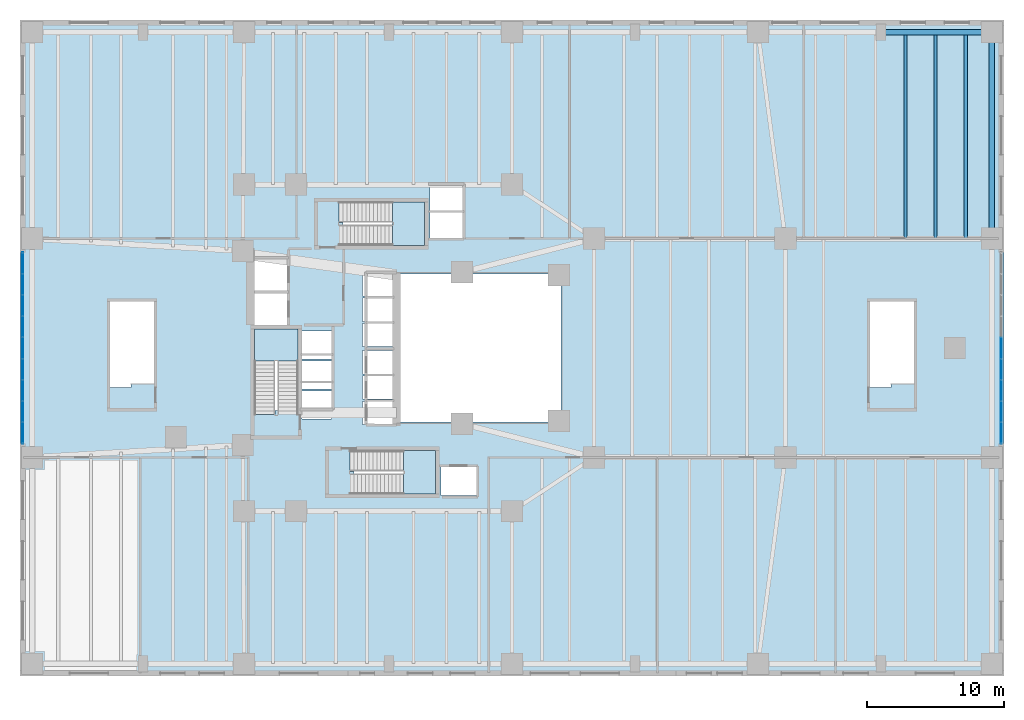
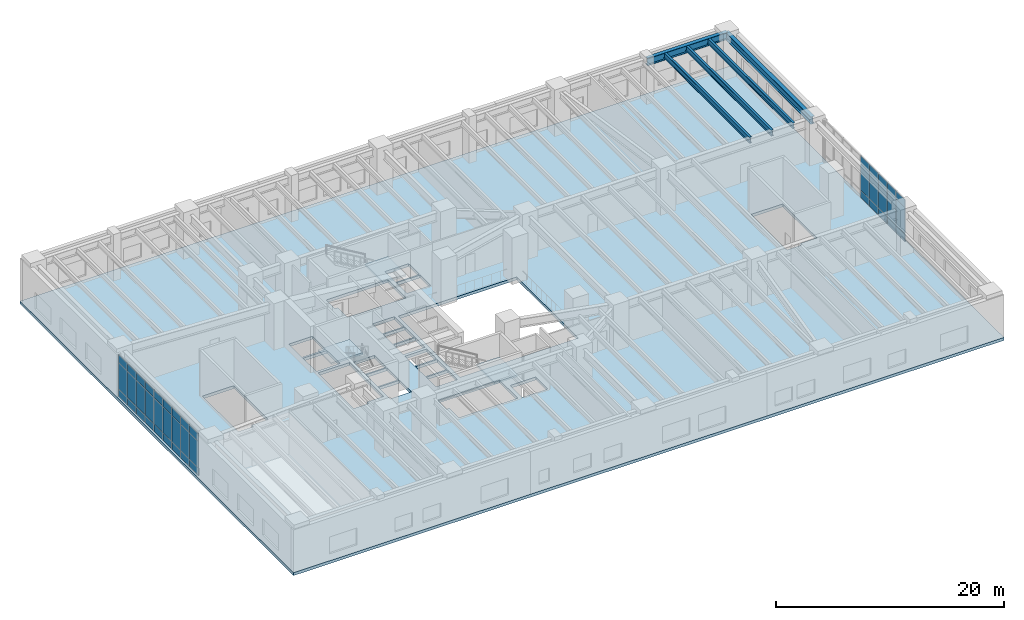
# One storey, part 11 of 18: 42 plates, 5 beams, 4 slabs, 5 elements without a shape of their own.
"""IFC4 building model written with IfcOpenShell, lengths in metres."""

import ifcopenshell
import ifcopenshell.guid

model = None  # the IFC model being written
_history = None  # IfcOwnerHistory: only IFC2X3 demands one
_inside = {}  # id of a spatial element -> (the spatial element, [elements in it])
_under = {}  # id of a project, library or spatial element -> (it, [spatial elements below it])
_declared = {}  # id of a project -> (the project, [libraries it declares])
_typed = {}  # id of a type object -> (the type object, [elements of that type])
_made_of = {}  # id of a material, layer set ... -> (it, [elements and type objects made of it])


def new_model(schema):
    """Start an empty IFC model of exactly this schema.

    Asked for "IFC4X3", IfcOpenShell would pick the latest addendum, in which some entities
    have other attributes; the version numbers below select the first issue.
    IFC2X3 requires an IfcOwnerHistory on every rooted entity: one is made here for all.
    """
    global model, _history
    if schema == "IFC4X3":
        model = ifcopenshell.file(schema_version=(4, 3, 0, 0))
    else:
        model = ifcopenshell.file(schema=schema)
    _inside.clear()
    _under.clear()
    _declared.clear()
    _typed.clear()
    _made_of.clear()
    _history = None
    if model.schema == "IFC2X3":
        org = make("IfcOrganization", Name="unknown")
        user = make(
            "IfcPersonAndOrganization",
            ThePerson=make("IfcPerson", FamilyName="unknown"),
            TheOrganization=org,
        )
        app = make(
            "IfcApplication",
            ApplicationDeveloper=org,
            Version="unknown",
            ApplicationFullName="unknown",
            ApplicationIdentifier="unknown",
        )
        _history = make(
            "IfcOwnerHistory",
            OwningUser=user,
            OwningApplication=app,
            ChangeAction="ADDED",
            CreationDate=0,
        )
    return model


def make(cls, **values):
    """One entity of the class cls with the attributes given. An attribute that is None is left unset."""
    return model.create_entity(
        cls, **{name: value for name, value in values.items() if value is not None}
    )


def rooted(cls, **values):
    """An entity with a GlobalId (a new one), such as an element, a storey or a relation."""
    return make(cls, GlobalId=ifcopenshell.guid.new(), OwnerHistory=_history, **values)


def si_unit(unit_type, name, prefix=None):
    """IfcSIUnit, for example si_unit("LENGTHUNIT", "METRE", prefix="MILLI")."""
    return make("IfcSIUnit", UnitType=unit_type, Prefix=prefix, Name=name)


def assignment(units):
    """IfcUnitAssignment: the units of a project."""
    return None if units is None else make("IfcUnitAssignment", Units=units)


def point(xyz):
    """IfcCartesianPoint."""
    return None if xyz is None else make("IfcCartesianPoint", Coordinates=xyz)


def direction(xyz):
    """IfcDirection."""
    return None if xyz is None else make("IfcDirection", DirectionRatios=xyz)


def frame(location, z_axis=None, x_axis=None):
    """IfcAxis2Placement3D, a coordinate frame: its origin and axes. An axis left out is left unset."""
    return make(
        "IfcAxis2Placement3D",
        Location=point(location),
        Axis=direction(z_axis),
        RefDirection=direction(x_axis),
    )


def frame_2d(location, x_axis=None):
    """IfcAxis2Placement2D, a coordinate frame in the plane: its origin and x axis."""
    return make(
        "IfcAxis2Placement2D", Location=point(location), RefDirection=direction(x_axis)
    )


def origin():
    """The frame at (0, 0, 0) with its axes left unset."""
    return frame((0.0, 0.0, 0.0))


def origin_2d():
    """The frame at (0, 0) in the plane with its x axis left unset."""
    return frame_2d((0.0, 0.0))


def place(relative_to, where):
    """IfcLocalPlacement: puts the frame where relative to a parent placement (None: the world)."""
    return make(
        "IfcLocalPlacement", PlacementRelTo=relative_to, RelativePlacement=where
    )


def context(
    kind, dimensions, precision=None, world=None, true_north=None, identifier=None
):
    """IfcGeometricRepresentationContext, for example the 3D "Model" context."""
    return make(
        "IfcGeometricRepresentationContext",
        ContextIdentifier=identifier,
        ContextType=kind,
        CoordinateSpaceDimension=dimensions,
        Precision=precision,
        WorldCoordinateSystem=world,
        TrueNorth=true_north,
    )


def subcontext(parent, identifier, kind, view, scale=None):
    """IfcGeometricRepresentationSubContext, for example "Body" below "Model"."""
    return make(
        "IfcGeometricRepresentationSubContext",
        ContextIdentifier=identifier,
        ContextType=kind,
        ParentContext=parent,
        TargetScale=scale,
        TargetView=view,
    )


def project(units=None, contexts=None):
    """IfcProject with its units and contexts."""
    return rooted(
        "IfcProject",
        Name="project",
        RepresentationContexts=contexts,
        UnitsInContext=assignment(units),
    )


def spatial(cls, under=None, at=None, **own):
    """A site, building, storey or space (cls), placed at a placement, below another one or the project."""
    s = rooted(cls, ObjectPlacement=at, **own)
    if under is not None:
        _under.setdefault(under.id(), (under, []))[1].append(s)
    return s


def polyline(points):
    """IfcPolyline through the points."""
    return make("IfcPolyline", Points=[point(p) for p in points])


def profile(cls, at=None, kind="AREA", **sizes):
    """A parametric profile (cls). Its sizes go by their IFC names, for example OverallWidth=200.0."""
    return make(cls, ProfileType=kind, Position=at, **sizes)


def rectangle(**sizes):
    """IfcRectangleProfileDef."""
    return profile("IfcRectangleProfileDef", **sizes)


def i_section(**sizes):
    """IfcIShapeProfileDef."""
    return profile("IfcIShapeProfileDef", **sizes)


def outline(outer, holes=None, kind="AREA"):
    """IfcArbitraryClosedProfileDef: a profile drawn as a closed curve; with holes, ...WithVoids."""
    if holes is None:
        return make("IfcArbitraryClosedProfileDef", ProfileType=kind, OuterCurve=outer)
    return make(
        "IfcArbitraryProfileDefWithVoids",
        ProfileType=kind,
        OuterCurve=outer,
        InnerCurves=holes,
    )


def extrude(swept, where, along, depth):
    """IfcExtrudedAreaSolid: the profile swept, set in the frame where, extruded along a direction by depth."""
    return make(
        "IfcExtrudedAreaSolid",
        SweptArea=swept,
        Position=where,
        ExtrudedDirection=direction(along),
        Depth=depth,
    )


def shape(context_of_items, identifier, shape_type, items):
    """IfcShapeRepresentation: the items that make up one representation, for example the "Body"."""
    return make(
        "IfcShapeRepresentation",
        ContextOfItems=context_of_items,
        RepresentationIdentifier=identifier,
        RepresentationType=shape_type,
        Items=items,
    )


def material(Name=None, Category=None):
    """IfcMaterial."""
    return make("IfcMaterial", Name=Name, Category=Category)


def layer(
    of_material, thickness, ventilated=None, Name=None, Category=None, Priority=None
):
    """IfcMaterialLayer: one layer of a wall or slab, of a material (None: an air gap)."""
    return make(
        "IfcMaterialLayer",
        Material=of_material,
        LayerThickness=thickness,
        IsVentilated=ventilated,
        Name=Name,
        Category=Category,
        Priority=Priority,
    )


def layer_set(layers, Name=None):
    """IfcMaterialLayerSet."""
    return make("IfcMaterialLayerSet", MaterialLayers=layers, LayerSetName=Name)


def material_profile(
    of_material, cross_section, Name=None, Category=None, Priority=None
):
    """IfcMaterialProfile: a cross section and its material."""
    return make(
        "IfcMaterialProfile",
        Name=Name,
        Material=of_material,
        Profile=cross_section,
        Priority=Priority,
        Category=Category,
    )


def profile_set(profiles, Name=None, composite=None):
    """IfcMaterialProfileSet."""
    return make(
        "IfcMaterialProfileSet",
        Name=Name,
        MaterialProfiles=profiles,
        CompositeProfile=composite,
    )


def made_of(thing, what):
    """Note that an element or type object is made of a material, layer set ...; save() writes the relation."""
    if what is not None:
        _made_of.setdefault(what.id(), (what, []))[1].append(thing)
    return thing


def type_object(cls, material=None, **own):
    """A type object (cls), such as IfcWallType, which elements share."""
    return made_of(rooted(cls, **own), material)


def element(
    cls,
    number,
    at=None,
    inside=None,
    cuts=None,
    type_object=None,
    material=None,
    context=None,
    identifier="Body",
    shape_type=None,
    held_by="IfcProductDefinitionShape",
    body=None,
    shapes=None,
    **own,
):
    """One element of the class cls, such as IfcWall. Its Tag is "e" and its number.

    at: its placement. inside: the storey or other place that contains it. cuts: it is an
    opening in that element (IfcRelVoidsElement). A single representation is given by context,
    identifier, shape_type and body (its items); several are given by shapes. held_by: the class
    of the entity that holds the representations. save() writes the other relations.
    """
    e = rooted(cls, Tag="e%d" % number, ObjectPlacement=at, **own)
    if body is not None:
        shapes = [shape(context, identifier, shape_type, body)]
    if shapes is not None:
        e.Representation = make(held_by, Representations=shapes)
    if inside is not None:
        _inside.setdefault(inside.id(), (inside, []))[1].append(e)
    if cuts is not None:
        rooted(
            "IfcRelVoidsElement", RelatingBuildingElement=cuts, RelatedOpeningElement=e
        )
    if type_object is not None:
        _typed.setdefault(type_object.id(), (type_object, []))[1].append(e)
    return made_of(e, material)


def aggregate(whole, parts):
    """IfcRelAggregates: a whole, such as a stair, and the parts it consists of."""
    return rooted("IfcRelAggregates", RelatingObject=whole, RelatedObjects=parts)


def save(model, path):
    """Write the relations noted so far, then the file.

    IfcRelAggregates (storeys below a building ...), IfcRelContainedInSpatialStructure (elements
    in a storey), IfcRelDefinesByType, IfcRelAssociatesMaterial and IfcRelDeclares: one each for
    every whole, place, type object, material and project.
    """
    for whole, parts in _under.values():
        aggregate(whole, parts)
    for where, things in _inside.values():
        rooted(
            "IfcRelContainedInSpatialStructure",
            RelatedElements=things,
            RelatingStructure=where,
        )
    for kind, things in _typed.values():
        rooted("IfcRelDefinesByType", RelatedObjects=things, RelatingType=kind)
    for what, things in _made_of.values():
        rooted("IfcRelAssociatesMaterial", RelatedObjects=things, RelatingMaterial=what)
    for by, libraries in _declared.values():
        rooted("IfcRelDeclares", RelatingContext=by, RelatedDefinitions=libraries)
    model.write(path)


model = new_model("IFC4")

# Units and contexts
model_context = context("Model", 3, precision=1e-05, world=origin(), true_north=direction((0.0, 1.0)))
body_context = subcontext(model_context, "Body", "Model", "MODEL_VIEW")
ifc_project = project(units=[si_unit("LENGTHUNIT", "METRE"), si_unit("AREAUNIT", "SQUARE_METRE"), si_unit("VOLUMEUNIT", "CUBIC_METRE"), si_unit("PLANEANGLEUNIT", "RADIAN"), si_unit("MASSUNIT", "GRAM", prefix="KILO"), si_unit("THERMODYNAMICTEMPERATUREUNIT", "KELVIN"), si_unit("POWERUNIT", "WATT")], contexts=[model_context])

# Site, building, storey
site_placement = place(None, origin())
site = spatial("IfcSite", under=ifc_project, at=site_placement, CompositionType="ELEMENT")
building_placement = place(site_placement, origin())
building = spatial("IfcBuilding", under=site, at=building_placement, Name="Skarre Station Tower", CompositionType="ELEMENT")
storey_placement = place(building_placement, frame((0.0, 0.0, 16.0)))
storey = spatial("IfcBuildingStorey", under=building, at=storey_placement, Name="L04", CompositionType="ELEMENT", Elevation=16.0)

# Beams
ifc_material_1 = material(Name="Steel ASTM A992 Grade 50", Category="steel")
ifc_material_profile_1 = material_profile(ifc_material_1, i_section(OverallWidth=0.22802734375, OverallDepth=0.60791015625, WebThickness=0.010986328125, FlangeThickness=0.01708984375, at=origin_2d()), Name="Steel ASTM A992 Grade 50")
ifc_profile_set_1 = profile_set([ifc_material_profile_1], Name="Steel ASTM A992 Grade 50")
beam_type_1 = type_object("IfcBeamType", Name="Steel Joist W24X76", PredefinedType="JOIST", material=ifc_profile_set_1)
for number, where, z_axis, x_axis, name in (
    (1, (64.800048828125, 32.0, 4.27587890625), (0.0, 1.0, 0.0), (-1.0, 0.0, 0.0), "L04 North Bay Joist 24"),
    (2, (67.0, 32.0, 4.27587890625), (0.0, 1.0, 0.0), (-1.0, 0.0, 0.0), "L04 North Bay Joist 25"),
    (3, (69.199951171875, 32.0, 4.27587890625), (0.0, 1.0, 0.0), (-1.0, 0.0, 0.0), "L04 North Bay Joist 26"),
):
    element("IfcBeam", number, at=place(storey_placement, frame(where, z_axis=z_axis, x_axis=x_axis)), inside=storey, type_object=beam_type_1, Name=name, PredefinedType="JOIST", context=body_context, shape_type="SweptSolid", body=[
        extrude(i_section(OverallWidth=0.22802734375, OverallDepth=0.60791015625, WebThickness=0.010986328125, FlangeThickness=0.01708984375, at=origin_2d()), origin(), (0.0, 0.0, 1.0), 15.10009765625),
    ])
ifc_material_profile_2 = material_profile(ifc_material_1, i_section(OverallWidth=0.384033203125, OverallDepth=0.785888671875, WebThickness=0.02001953125, FlangeThickness=0.032958984375, at=origin_2d()), Name="Steel ASTM A992 Grade 50")
ifc_profile_set_2 = profile_set([ifc_material_profile_2], Name="Steel ASTM A992 Grade 50")
beam_type_2 = type_object("IfcBeamType", Name="Steel Spandrel W30X211", PredefinedType="SPANDREL", material=ifc_profile_set_2)
beam_1_placement = place(storey_placement, frame((63.0, 47.10009765625, 4.18701171875), z_axis=(1.0, 0.0, 0.0), x_axis=(0.0, 1.0, 0.0)))
element("IfcBeam", 4, at=beam_1_placement, inside=storey, type_object=beam_type_2, Name="L04 North Podium Spandrel 8", PredefinedType="SPANDREL", context=body_context, shape_type="SweptSolid", body=[
    extrude(i_section(OverallWidth=0.384033203125, OverallDepth=0.785888671875, WebThickness=0.02001953125, FlangeThickness=0.032958984375, at=origin_2d()), origin(), (0.0, 0.0, 1.0), 8.10009765625),
])
beam_2_placement = place(storey_placement, frame((71.10009765625, 32.0, 4.18701171875), z_axis=(0.0, 1.0, 0.0), x_axis=(-1.0, 0.0, 0.0)))
element("IfcBeam", 5, at=beam_2_placement, inside=storey, type_object=beam_type_2, Name="L04 East Podium Spandrel 3", PredefinedType="SPANDREL", context=body_context, shape_type="SweptSolid", body=[
    extrude(i_section(OverallWidth=0.384033203125, OverallDepth=0.785888671875, WebThickness=0.02001953125, FlangeThickness=0.032958984375, at=origin_2d()), origin(), (0.0, 0.0, 1.0), 15.10009765625),
])

# Curtain wall, plates
ifc_material_2 = material(Name="Thermally Broken Bronze-Anodized Aluminium & Triple Low-E Glass", Category="aluminium")
ifc_layer_1 = layer(ifc_material_2, 0.199951171875, Name="Thermally Broken Bronze-Anodized Aluminium & Triple Low-E Glass")
ifc_layer_set_1 = layer_set([ifc_layer_1], Name="Thermally Broken Bronze-Anodized Aluminium & Triple Low-E Glass")
curtain_wall_type = type_object("IfcCurtainWallType", Name="Podium Transit Arcade Stick Curtain Wall", PredefinedType="NOTDEFINED", material=ifc_layer_set_1)
curtain_wall_1_placement = place(storey_placement, origin())
curtain_wall_1 = element("IfcCurtainWall", 6, at=curtain_wall_1_placement, inside=storey, type_object=curtain_wall_type, Name="L04 West Atrium Clerestory Curtain Wall", PredefinedType="NOTDEFINED")
ifc_material_3 = material(Name="Insulated Bronze Anodized Aluminium Spandrel", Category="aluminium")
ifc_layer_2 = layer(ifc_material_3, 0.052001953125, Name="Insulated Bronze Anodized Aluminium Spandrel")
ifc_layer_set_2 = layer_set([ifc_layer_2], Name="Insulated Bronze Anodized Aluminium Spandrel")
plate_type_1 = type_object("IfcPlateType", Name="Bronze Insulated Spandrel Sheet Panel 52", PredefinedType="SHEET", material=ifc_layer_set_2)
plate_1_placement = place(storey_placement, frame((0.199951171875, 17.778076171875, 0.05224609375), z_axis=(0.0, 0.0, 1.0), x_axis=(0.0, 1.0, 0.0)))
plate_1 = element("IfcPlate", 7, at=plate_1_placement, type_object=plate_type_1, Name="L04 West Atrium Clerestory Curtain Wall Spandrel Panel 1-1", PredefinedType="SHEET", context=body_context, shape_type="SweptSolid", body=[
    extrude(rectangle(XDim=1.531982421875, YDim=0.052001953125, at=origin_2d()), origin(), (0.0, 0.0, 1.0), 0.785888671875),
])
plate_2_placement = place(storey_placement, frame((0.199951171875, 19.3330078125, 0.05224609375), z_axis=(0.0, 0.0, 1.0), x_axis=(0.0, 1.0, 0.0)))
plate_2 = element("IfcPlate", 8, at=plate_2_placement, type_object=plate_type_1, Name="L04 West Atrium Clerestory Curtain Wall Spandrel Panel 2-1", PredefinedType="SHEET", context=body_context, shape_type="SweptSolid", body=[
    extrude(rectangle(XDim=1.531982421875, YDim=0.052001953125, at=origin_2d()), origin(), (0.0, 0.0, 1.0), 0.785888671875),
])
plate_3_placement = place(storey_placement, frame((0.199951171875, 20.888916015625, 0.05224609375), z_axis=(0.0, 0.0, 1.0), x_axis=(0.0, 1.0, 0.0)))
plate_3 = element("IfcPlate", 9, at=plate_3_placement, type_object=plate_type_1, Name="L04 West Atrium Clerestory Curtain Wall Spandrel Panel 3-1", PredefinedType="SHEET", context=body_context, shape_type="SweptSolid", body=[
    extrude(rectangle(XDim=1.531982421875, YDim=0.052001953125, at=origin_2d()), origin(), (0.0, 0.0, 1.0), 0.785888671875),
])
plate_4_placement = place(storey_placement, frame((0.199951171875, 22.444091796875, 0.05224609375), z_axis=(0.0, 0.0, 1.0), x_axis=(0.0, 1.0, 0.0)))
plate_4 = element("IfcPlate", 10, at=plate_4_placement, type_object=plate_type_1, Name="L04 West Atrium Clerestory Curtain Wall Spandrel Panel 4-1", PredefinedType="SHEET", context=body_context, shape_type="SweptSolid", body=[
    extrude(rectangle(XDim=1.531982421875, YDim=0.052001953125, at=origin_2d()), origin(), (0.0, 0.0, 1.0), 0.785888671875),
])
plate_5_placement = place(storey_placement, frame((0.199951171875, 24.0, 0.05224609375), z_axis=(0.0, 0.0, 1.0), x_axis=(0.0, 1.0, 0.0)))
plate_5 = element("IfcPlate", 11, at=plate_5_placement, type_object=plate_type_1, Name="L04 West Atrium Clerestory Curtain Wall Spandrel Panel 5-1", PredefinedType="SHEET", context=body_context, shape_type="SweptSolid", body=[
    extrude(rectangle(XDim=1.531982421875, YDim=0.052001953125, at=origin_2d()), origin(), (0.0, 0.0, 1.0), 0.785888671875),
])
plate_6_placement = place(storey_placement, frame((0.199951171875, 25.555908203125, 0.05224609375), z_axis=(0.0, 0.0, 1.0), x_axis=(0.0, 1.0, 0.0)))
plate_6 = element("IfcPlate", 12, at=plate_6_placement, type_object=plate_type_1, Name="L04 West Atrium Clerestory Curtain Wall Spandrel Panel 6-1", PredefinedType="SHEET", context=body_context, shape_type="SweptSolid", body=[
    extrude(rectangle(XDim=1.531982421875, YDim=0.052001953125, at=origin_2d()), origin(), (0.0, 0.0, 1.0), 0.785888671875),
])
plate_7_placement = place(storey_placement, frame((0.199951171875, 27.111083984375, 0.05224609375), z_axis=(0.0, 0.0, 1.0), x_axis=(0.0, 1.0, 0.0)))
plate_7 = element("IfcPlate", 13, at=plate_7_placement, type_object=plate_type_1, Name="L04 West Atrium Clerestory Curtain Wall Spandrel Panel 7-1", PredefinedType="SHEET", context=body_context, shape_type="SweptSolid", body=[
    extrude(rectangle(XDim=1.531982421875, YDim=0.052001953125, at=origin_2d()), origin(), (0.0, 0.0, 1.0), 0.785888671875),
])
plate_8_placement = place(storey_placement, frame((0.199951171875, 28.6669921875, 0.05224609375), z_axis=(0.0, 0.0, 1.0), x_axis=(0.0, 1.0, 0.0)))
plate_8 = element("IfcPlate", 14, at=plate_8_placement, type_object=plate_type_1, Name="L04 West Atrium Clerestory Curtain Wall Spandrel Panel 8-1", PredefinedType="SHEET", context=body_context, shape_type="SweptSolid", body=[
    extrude(rectangle(XDim=1.531982421875, YDim=0.052001953125, at=origin_2d()), origin(), (0.0, 0.0, 1.0), 0.785888671875),
])
plate_9_placement = place(storey_placement, frame((0.199951171875, 30.221923828125, 0.05224609375), z_axis=(0.0, 0.0, 1.0), x_axis=(0.0, 1.0, 0.0)))
plate_9 = element("IfcPlate", 15, at=plate_9_placement, type_object=plate_type_1, Name="L04 West Atrium Clerestory Curtain Wall Spandrel Panel 9-1", PredefinedType="SHEET", context=body_context, shape_type="SweptSolid", body=[
    extrude(rectangle(XDim=1.531982421875, YDim=0.052001953125, at=origin_2d()), origin(), (0.0, 0.0, 1.0), 0.785888671875),
])

curtain_wall_2_placement = place(storey_placement, origin())
curtain_wall_2 = element("IfcCurtainWall", 16, at=curtain_wall_2_placement, inside=storey, type_object=curtain_wall_type, Name="L04 East Forum Clerestory Curtain Wall", PredefinedType="NOTDEFINED")
plate_10_placement = place(storey_placement, frame((71.800048828125, 24.0, 0.05224609375), z_axis=(0.0, 0.0, 1.0), x_axis=(0.0, -1.0, 0.0)))
plate_10 = element("IfcPlate", 17, at=plate_10_placement, type_object=plate_type_1, Name="L04 East Forum Clerestory Curtain Wall Spandrel Panel 5-1", PredefinedType="SHEET", context=body_context, shape_type="SweptSolid", body=[
    extrude(rectangle(XDim=1.531982421875, YDim=0.052001953125, at=origin_2d()), origin(), (0.0, 0.0, 1.0), 0.785888671875),
])
plate_11_placement = place(storey_placement, frame((71.800048828125, 22.444091796875, 0.05224609375), z_axis=(0.0, 0.0, 1.0), x_axis=(0.0, -1.0, 0.0)))
plate_11 = element("IfcPlate", 18, at=plate_11_placement, type_object=plate_type_1, Name="L04 East Forum Clerestory Curtain Wall Spandrel Panel 6-1", PredefinedType="SHEET", context=body_context, shape_type="SweptSolid", body=[
    extrude(rectangle(XDim=1.531982421875, YDim=0.052001953125, at=origin_2d()), origin(), (0.0, 0.0, 1.0), 0.785888671875),
])
plate_12_placement = place(storey_placement, frame((71.800048828125, 20.888916015625, 0.05224609375), z_axis=(0.0, 0.0, 1.0), x_axis=(0.0, -1.0, 0.0)))
plate_12 = element("IfcPlate", 19, at=plate_12_placement, type_object=plate_type_1, Name="L04 East Forum Clerestory Curtain Wall Spandrel Panel 7-1", PredefinedType="SHEET", context=body_context, shape_type="SweptSolid", body=[
    extrude(rectangle(XDim=1.531982421875, YDim=0.052001953125, at=origin_2d()), origin(), (0.0, 0.0, 1.0), 0.785888671875),
])
plate_13_placement = place(storey_placement, frame((71.800048828125, 19.3330078125, 0.05224609375), z_axis=(0.0, 0.0, 1.0), x_axis=(0.0, -1.0, 0.0)))
plate_13 = element("IfcPlate", 20, at=plate_13_placement, type_object=plate_type_1, Name="L04 East Forum Clerestory Curtain Wall Spandrel Panel 8-1", PredefinedType="SHEET", context=body_context, shape_type="SweptSolid", body=[
    extrude(rectangle(XDim=1.531982421875, YDim=0.052001953125, at=origin_2d()), origin(), (0.0, 0.0, 1.0), 0.785888671875),
])
plate_14_placement = place(storey_placement, frame((71.800048828125, 17.778076171875, 0.05224609375), z_axis=(0.0, 0.0, 1.0), x_axis=(0.0, -1.0, 0.0)))
plate_14 = element("IfcPlate", 21, at=plate_14_placement, type_object=plate_type_1, Name="L04 East Forum Clerestory Curtain Wall Spandrel Panel 9-1", PredefinedType="SHEET", context=body_context, shape_type="SweptSolid", body=[
    extrude(rectangle(XDim=1.531982421875, YDim=0.052001953125, at=origin_2d()), origin(), (0.0, 0.0, 1.0), 0.785888671875),
])

# Slab
ifc_material_4 = material(Name="Concrete C50/60", Category="concrete")
ifc_layer_3 = layer(ifc_material_4, 0.31005859375, Name="Concrete C50/60")
ifc_layer_set_3 = layer_set([ifc_layer_3], Name="Concrete C50/60")
slab_type_1 = type_object("IfcSlabType", Name="Podium & Plant Structural Slab 310", PredefinedType="FLOOR", material=ifc_layer_set_3)
slab_1_placement = place(storey_placement, frame((0.0, 0.0, -0.31005859375)))
element("IfcSlab", 22, at=slab_1_placement, inside=storey, type_object=slab_type_1, Name="L04 Station Podium Structural Floor Slab", PredefinedType="FLOOR", context=body_context, shape_type="SweptSolid", body=[
    extrude(outline(polyline([(0.0, 0.0), (72.0, 0.0), (72.0, 48.0), (0.0, 48.0), (0.0, 0.0)]), holes=[polyline([(18.669921875, 19.419921875), (18.669921875, 19.123046875), (17.14990234375, 19.123046875), (17.14990234375, 25.39990234375), (20.35009765625, 25.39990234375), (20.35009765625, 19.419921875), (18.669921875, 19.419921875)]), polyline([(24.449951171875, 14.97998046875), (24.153076171875, 14.97998046875), (24.153076171875, 16.5), (30.39990234375, 16.5), (30.39990234375, 13.300048828125), (24.449951171875, 13.300048828125), (24.449951171875, 14.97998046875)]), polyline([(23.64990234375, 33.179931640625), (23.35302734375, 33.179931640625), (23.35302734375, 34.699951171875), (29.60009765625, 34.699951171875), (29.60009765625, 31.5), (23.64990234375, 31.5), (23.64990234375, 33.179931640625)]), polyline([(8.1201171875, 21.419921875), (8.1201171875, 21.123046875), (6.60009765625, 21.123046875), (6.60009765625, 27.39990234375), (9.800048828125, 27.39990234375), (9.800048828125, 21.419921875), (8.1201171875, 21.419921875)]), polyline([(63.719970703125, 21.419921875), (63.719970703125, 21.123046875), (62.199951171875, 21.123046875), (62.199951171875, 27.39990234375), (65.39990234375, 27.39990234375), (65.39990234375, 21.419921875), (63.719970703125, 21.419921875)]), polyline([(17.14990234375, 28.0), (19.550048828125, 28.0), (19.550048828125, 25.699951171875), (17.14990234375, 25.699951171875), (17.14990234375, 28.0)]), polyline([(17.14990234375, 30.5), (19.550048828125, 30.5), (19.550048828125, 28.199951171875), (17.14990234375, 28.199951171875), (17.14990234375, 30.5)]), polyline([(30.800048828125, 15.300048828125), (33.39990234375, 15.300048828125), (33.39990234375, 13.199951171875), (30.800048828125, 13.199951171875), (30.800048828125, 15.300048828125)]), polyline([(25.050048828125, 20.10009765625), (27.25, 20.10009765625), (27.25, 18.39990234375), (25.050048828125, 18.39990234375), (25.050048828125, 20.10009765625)]), polyline([(25.050048828125, 21.949951171875), (27.25, 21.949951171875), (27.25, 20.25), (25.050048828125, 20.25), (25.050048828125, 21.949951171875)]), polyline([(25.050048828125, 23.800048828125), (27.25, 23.800048828125), (27.25, 22.10009765625), (25.050048828125, 22.10009765625), (25.050048828125, 23.800048828125)]), polyline([(25.050048828125, 25.800048828125), (27.25, 25.800048828125), (27.25, 24.10009765625), (25.050048828125, 24.10009765625), (25.050048828125, 25.800048828125)]), polyline([(25.050048828125, 27.64990234375), (27.25, 27.64990234375), (27.25, 25.949951171875), (25.050048828125, 25.949951171875), (25.050048828125, 27.64990234375)]), polyline([(25.050048828125, 29.5), (27.25, 29.5), (27.25, 27.800048828125), (25.050048828125, 27.800048828125), (25.050048828125, 29.5)]), polyline([(20.64990234375, 20.85009765625), (22.800048828125, 20.85009765625), (22.800048828125, 18.800048828125), (20.64990234375, 18.800048828125), (20.64990234375, 20.85009765625)]), polyline([(20.64990234375, 23.050048828125), (22.800048828125, 23.050048828125), (22.800048828125, 21.0), (20.64990234375, 21.0), (20.64990234375, 23.050048828125)]), polyline([(20.64990234375, 25.25), (22.800048828125, 25.25), (22.800048828125, 23.199951171875), (20.64990234375, 23.199951171875), (20.64990234375, 25.25)]), polyline([(30.0, 33.89990234375), (32.39990234375, 33.89990234375), (32.39990234375, 32.050048828125), (30.0, 32.050048828125), (30.0, 33.89990234375)]), polyline([(30.0, 35.89990234375), (32.39990234375, 35.89990234375), (32.39990234375, 34.050048828125), (30.0, 34.050048828125), (30.0, 35.89990234375)]), polyline([(27.60009765625, 29.39990234375), (39.60009765625, 29.39990234375), (39.60009765625, 18.60009765625), (27.60009765625, 18.60009765625), (27.60009765625, 29.39990234375)])]), origin(), (0.0, 0.0, 1.0), 0.31005859375),
])

# Stair, slab
ifc_material_5 = material(Name="Concrete C40/50", Category="concrete")
stair_type_1 = type_object("IfcStairType", Name="Reinforced Concrete Exit Stair ST-1", PredefinedType="HALF_TURN_STAIR", material=ifc_material_5)
stair_1_placement = place(storey_placement, origin())
stair_1 = element("IfcStair", 23, at=stair_1_placement, inside=storey, type_object=stair_type_1, Name="L04 Core Exit Stair ST-1", PredefinedType="HALF_TURN_STAIR")
ifc_layer_4 = layer(ifc_material_5, 0.219970703125, Name="Concrete C40/50")
ifc_layer_set_4 = layer_set([ifc_layer_4], Name="Concrete C40/50")
slab_type_2 = type_object("IfcSlabType", Name="Reinforced Concrete Stair & Ramp Landing 220", PredefinedType="LANDING", material=ifc_layer_set_4)
slab_2_placement = place(storey_placement, frame((0.0, 0.0, 2.300048828125)))
slab_2 = element("IfcSlab", 24, at=slab_2_placement, type_object=slab_type_2, Name="ST-1 landing 1", PredefinedType="LANDING", context=body_context, shape_type="SweptSolid", body=[
    extrude(outline(polyline([(20.35009765625, 23.0400390625), (20.35009765625, 25.39990234375), (17.14990234375, 25.39990234375), (17.14990234375, 23.0400390625), (20.35009765625, 23.0400390625)])), origin(), (0.0, 0.0, 1.0), 0.199951171875),
])
aggregate(stair_1, [slab_2])

stair_type_2 = type_object("IfcStairType", Name="Reinforced Concrete Exit Stair ST-2", PredefinedType="HALF_TURN_STAIR", material=ifc_material_5)
stair_2_placement = place(storey_placement, origin())
stair_2 = element("IfcStair", 25, at=stair_2_placement, inside=storey, type_object=stair_type_2, Name="L04 Core Exit Stair ST-2", PredefinedType="HALF_TURN_STAIR")
slab_3_placement = place(storey_placement, frame((0.0, 0.0, 2.300048828125)))
slab_3 = element("IfcSlab", 26, at=slab_3_placement, type_object=slab_type_2, Name="ST-2 landing 1", PredefinedType="LANDING", context=body_context, shape_type="SweptSolid", body=[
    extrude(outline(polyline([(28.070068359375, 13.300048828125), (30.39990234375, 13.300048828125), (30.39990234375, 16.5), (28.070068359375, 16.5), (28.070068359375, 13.300048828125)])), origin(), (0.0, 0.0, 1.0), 0.199951171875),
])
aggregate(stair_2, [slab_3])

stair_type_3 = type_object("IfcStairType", Name="Reinforced Concrete Exit Stair ST-3", PredefinedType="HALF_TURN_STAIR", material=ifc_material_5)
stair_3_placement = place(storey_placement, origin())
stair_3 = element("IfcStair", 27, at=stair_3_placement, inside=storey, type_object=stair_type_3, Name="L04 Core Exit Stair ST-3", PredefinedType="HALF_TURN_STAIR")
slab_4_placement = place(storey_placement, frame((0.0, 0.0, 2.300048828125)))
slab_4 = element("IfcSlab", 28, at=slab_4_placement, type_object=slab_type_2, Name="ST-3 landing 1", PredefinedType="LANDING", context=body_context, shape_type="SweptSolid", body=[
    extrude(outline(polyline([(27.27001953125, 31.5), (29.60009765625, 31.5), (29.60009765625, 34.699951171875), (27.27001953125, 34.699951171875), (27.27001953125, 31.5)])), origin(), (0.0, 0.0, 1.0), 0.199951171875),
])
aggregate(stair_3, [slab_4])

# Plate
ifc_material_6 = material(Name="Low-Iron Triple Insulating Glass Unit", Category="glass")
ifc_layer_5 = layer(ifc_material_6, 0.0439453125, Name="Low-Iron Triple Insulating Glass Unit")
ifc_layer_set_5 = layer_set([ifc_layer_5], Name="Low-Iron Triple Insulating Glass Unit")
plate_type_2 = type_object("IfcPlateType", Name="Triple-Glazed Vision Curtain Panel 44", PredefinedType="CURTAIN_PANEL", material=ifc_layer_set_5)
plate_15_placement = place(storey_placement, frame((0.199951171875, 17.778076171875, 0.86181640625), z_axis=(0.0, 0.0, 1.0), x_axis=(0.0, 1.0, 0.0)))
plate_15 = element("IfcPlate", 29, at=plate_15_placement, type_object=plate_type_2, Name="L04 West Atrium Clerestory Curtain Wall Vision Panel 1-2", PredefinedType="CURTAIN_PANEL", context=body_context, shape_type="SweptSolid", body=[
    extrude(rectangle(XDim=1.531982421875, YDim=0.0439453125, at=origin_2d()), origin(), (0.0, 0.0, 1.0), 2.805908203125),
])

plate_16_placement = place(storey_placement, frame((0.199951171875, 17.778076171875, 3.692138671875), z_axis=(0.0, 0.0, 1.0), x_axis=(0.0, 1.0, 0.0)))
plate_16 = element("IfcPlate", 30, at=plate_16_placement, type_object=plate_type_2, Name="L04 West Atrium Clerestory Curtain Wall Vision Panel 1-3", PredefinedType="CURTAIN_PANEL", context=body_context, shape_type="SweptSolid", body=[
    extrude(rectangle(XDim=1.531982421875, YDim=0.0439453125, at=origin_2d()), origin(), (0.0, 0.0, 1.0), 0.8359375),
])

plate_17_placement = place(storey_placement, frame((0.199951171875, 19.3330078125, 0.86181640625), z_axis=(0.0, 0.0, 1.0), x_axis=(0.0, 1.0, 0.0)))
plate_17 = element("IfcPlate", 31, at=plate_17_placement, type_object=plate_type_2, Name="L04 West Atrium Clerestory Curtain Wall Vision Panel 2-2", PredefinedType="CURTAIN_PANEL", context=body_context, shape_type="SweptSolid", body=[
    extrude(rectangle(XDim=1.531982421875, YDim=0.0439453125, at=origin_2d()), origin(), (0.0, 0.0, 1.0), 2.805908203125),
])

plate_18_placement = place(storey_placement, frame((0.199951171875, 19.3330078125, 3.692138671875), z_axis=(0.0, 0.0, 1.0), x_axis=(0.0, 1.0, 0.0)))
plate_18 = element("IfcPlate", 32, at=plate_18_placement, type_object=plate_type_2, Name="L04 West Atrium Clerestory Curtain Wall Vision Panel 2-3", PredefinedType="CURTAIN_PANEL", context=body_context, shape_type="SweptSolid", body=[
    extrude(rectangle(XDim=1.531982421875, YDim=0.0439453125, at=origin_2d()), origin(), (0.0, 0.0, 1.0), 0.8359375),
])

plate_19_placement = place(storey_placement, frame((0.199951171875, 20.888916015625, 0.86181640625), z_axis=(0.0, 0.0, 1.0), x_axis=(0.0, 1.0, 0.0)))
plate_19 = element("IfcPlate", 33, at=plate_19_placement, type_object=plate_type_2, Name="L04 West Atrium Clerestory Curtain Wall Vision Panel 3-2", PredefinedType="CURTAIN_PANEL", context=body_context, shape_type="SweptSolid", body=[
    extrude(rectangle(XDim=1.531982421875, YDim=0.0439453125, at=origin_2d()), origin(), (0.0, 0.0, 1.0), 2.805908203125),
])

plate_20_placement = place(storey_placement, frame((0.199951171875, 20.888916015625, 3.692138671875), z_axis=(0.0, 0.0, 1.0), x_axis=(0.0, 1.0, 0.0)))
plate_20 = element("IfcPlate", 34, at=plate_20_placement, type_object=plate_type_2, Name="L04 West Atrium Clerestory Curtain Wall Vision Panel 3-3", PredefinedType="CURTAIN_PANEL", context=body_context, shape_type="SweptSolid", body=[
    extrude(rectangle(XDim=1.531982421875, YDim=0.0439453125, at=origin_2d()), origin(), (0.0, 0.0, 1.0), 0.8359375),
])

plate_21_placement = place(storey_placement, frame((0.199951171875, 22.444091796875, 0.86181640625), z_axis=(0.0, 0.0, 1.0), x_axis=(0.0, 1.0, 0.0)))
plate_21 = element("IfcPlate", 35, at=plate_21_placement, type_object=plate_type_2, Name="L04 West Atrium Clerestory Curtain Wall Vision Panel 4-2", PredefinedType="CURTAIN_PANEL", context=body_context, shape_type="SweptSolid", body=[
    extrude(rectangle(XDim=1.531982421875, YDim=0.0439453125, at=origin_2d()), origin(), (0.0, 0.0, 1.0), 2.805908203125),
])

plate_22_placement = place(storey_placement, frame((0.199951171875, 22.444091796875, 3.692138671875), z_axis=(0.0, 0.0, 1.0), x_axis=(0.0, 1.0, 0.0)))
plate_22 = element("IfcPlate", 36, at=plate_22_placement, type_object=plate_type_2, Name="L04 West Atrium Clerestory Curtain Wall Vision Panel 4-3", PredefinedType="CURTAIN_PANEL", context=body_context, shape_type="SweptSolid", body=[
    extrude(rectangle(XDim=1.531982421875, YDim=0.0439453125, at=origin_2d()), origin(), (0.0, 0.0, 1.0), 0.8359375),
])

plate_23_placement = place(storey_placement, frame((0.199951171875, 24.0, 0.86181640625), z_axis=(0.0, 0.0, 1.0), x_axis=(0.0, 1.0, 0.0)))
plate_23 = element("IfcPlate", 37, at=plate_23_placement, type_object=plate_type_2, Name="L04 West Atrium Clerestory Curtain Wall Vision Panel 5-2", PredefinedType="CURTAIN_PANEL", context=body_context, shape_type="SweptSolid", body=[
    extrude(rectangle(XDim=1.531982421875, YDim=0.0439453125, at=origin_2d()), origin(), (0.0, 0.0, 1.0), 2.805908203125),
])

plate_24_placement = place(storey_placement, frame((0.199951171875, 24.0, 3.692138671875), z_axis=(0.0, 0.0, 1.0), x_axis=(0.0, 1.0, 0.0)))
plate_24 = element("IfcPlate", 38, at=plate_24_placement, type_object=plate_type_2, Name="L04 West Atrium Clerestory Curtain Wall Vision Panel 5-3", PredefinedType="CURTAIN_PANEL", context=body_context, shape_type="SweptSolid", body=[
    extrude(rectangle(XDim=1.531982421875, YDim=0.0439453125, at=origin_2d()), origin(), (0.0, 0.0, 1.0), 0.8359375),
])

plate_25_placement = place(storey_placement, frame((0.199951171875, 25.555908203125, 0.86181640625), z_axis=(0.0, 0.0, 1.0), x_axis=(0.0, 1.0, 0.0)))
plate_25 = element("IfcPlate", 39, at=plate_25_placement, type_object=plate_type_2, Name="L04 West Atrium Clerestory Curtain Wall Vision Panel 6-2", PredefinedType="CURTAIN_PANEL", context=body_context, shape_type="SweptSolid", body=[
    extrude(rectangle(XDim=1.531982421875, YDim=0.0439453125, at=origin_2d()), origin(), (0.0, 0.0, 1.0), 2.805908203125),
])

plate_26_placement = place(storey_placement, frame((0.199951171875, 25.555908203125, 3.692138671875), z_axis=(0.0, 0.0, 1.0), x_axis=(0.0, 1.0, 0.0)))
plate_26 = element("IfcPlate", 40, at=plate_26_placement, type_object=plate_type_2, Name="L04 West Atrium Clerestory Curtain Wall Vision Panel 6-3", PredefinedType="CURTAIN_PANEL", context=body_context, shape_type="SweptSolid", body=[
    extrude(rectangle(XDim=1.531982421875, YDim=0.0439453125, at=origin_2d()), origin(), (0.0, 0.0, 1.0), 0.8359375),
])

plate_27_placement = place(storey_placement, frame((0.199951171875, 27.111083984375, 0.86181640625), z_axis=(0.0, 0.0, 1.0), x_axis=(0.0, 1.0, 0.0)))
plate_27 = element("IfcPlate", 41, at=plate_27_placement, type_object=plate_type_2, Name="L04 West Atrium Clerestory Curtain Wall Vision Panel 7-2", PredefinedType="CURTAIN_PANEL", context=body_context, shape_type="SweptSolid", body=[
    extrude(rectangle(XDim=1.531982421875, YDim=0.0439453125, at=origin_2d()), origin(), (0.0, 0.0, 1.0), 2.805908203125),
])

plate_28_placement = place(storey_placement, frame((0.199951171875, 27.111083984375, 3.692138671875), z_axis=(0.0, 0.0, 1.0), x_axis=(0.0, 1.0, 0.0)))
plate_28 = element("IfcPlate", 42, at=plate_28_placement, type_object=plate_type_2, Name="L04 West Atrium Clerestory Curtain Wall Vision Panel 7-3", PredefinedType="CURTAIN_PANEL", context=body_context, shape_type="SweptSolid", body=[
    extrude(rectangle(XDim=1.531982421875, YDim=0.0439453125, at=origin_2d()), origin(), (0.0, 0.0, 1.0), 0.8359375),
])

plate_29_placement = place(storey_placement, frame((0.199951171875, 28.6669921875, 0.86181640625), z_axis=(0.0, 0.0, 1.0), x_axis=(0.0, 1.0, 0.0)))
plate_29 = element("IfcPlate", 43, at=plate_29_placement, type_object=plate_type_2, Name="L04 West Atrium Clerestory Curtain Wall Vision Panel 8-2", PredefinedType="CURTAIN_PANEL", context=body_context, shape_type="SweptSolid", body=[
    extrude(rectangle(XDim=1.531982421875, YDim=0.0439453125, at=origin_2d()), origin(), (0.0, 0.0, 1.0), 2.805908203125),
])

plate_30_placement = place(storey_placement, frame((0.199951171875, 28.6669921875, 3.692138671875), z_axis=(0.0, 0.0, 1.0), x_axis=(0.0, 1.0, 0.0)))
plate_30 = element("IfcPlate", 44, at=plate_30_placement, type_object=plate_type_2, Name="L04 West Atrium Clerestory Curtain Wall Vision Panel 8-3", PredefinedType="CURTAIN_PANEL", context=body_context, shape_type="SweptSolid", body=[
    extrude(rectangle(XDim=1.531982421875, YDim=0.0439453125, at=origin_2d()), origin(), (0.0, 0.0, 1.0), 0.8359375),
])

plate_31_placement = place(storey_placement, frame((0.199951171875, 30.221923828125, 0.86181640625), z_axis=(0.0, 0.0, 1.0), x_axis=(0.0, 1.0, 0.0)))
plate_31 = element("IfcPlate", 45, at=plate_31_placement, type_object=plate_type_2, Name="L04 West Atrium Clerestory Curtain Wall Vision Panel 9-2", PredefinedType="CURTAIN_PANEL", context=body_context, shape_type="SweptSolid", body=[
    extrude(rectangle(XDim=1.531982421875, YDim=0.0439453125, at=origin_2d()), origin(), (0.0, 0.0, 1.0), 2.805908203125),
])

plate_32_placement = place(storey_placement, frame((0.199951171875, 30.221923828125, 3.692138671875), z_axis=(0.0, 0.0, 1.0), x_axis=(0.0, 1.0, 0.0)))
plate_32 = element("IfcPlate", 46, at=plate_32_placement, type_object=plate_type_2, Name="L04 West Atrium Clerestory Curtain Wall Vision Panel 9-3", PredefinedType="CURTAIN_PANEL", context=body_context, shape_type="SweptSolid", body=[
    extrude(rectangle(XDim=1.531982421875, YDim=0.0439453125, at=origin_2d()), origin(), (0.0, 0.0, 1.0), 0.8359375),
])

aggregate(curtain_wall_1, [plate_1, plate_15, plate_16, plate_2, plate_17, plate_18, plate_3, plate_19, plate_20, plate_4, plate_21, plate_22, plate_5, plate_23, plate_24, plate_6, plate_25, plate_26, plate_7, plate_27, plate_28, plate_8, plate_29, plate_30, plate_9, plate_31, plate_32])

plate_33_placement = place(storey_placement, frame((71.800048828125, 24.0, 0.86181640625), z_axis=(0.0, 0.0, 1.0), x_axis=(0.0, -1.0, 0.0)))
plate_33 = element("IfcPlate", 47, at=plate_33_placement, type_object=plate_type_2, Name="L04 East Forum Clerestory Curtain Wall Vision Panel 5-2", PredefinedType="CURTAIN_PANEL", context=body_context, shape_type="SweptSolid", body=[
    extrude(rectangle(XDim=1.531982421875, YDim=0.0439453125, at=origin_2d()), origin(), (0.0, 0.0, 1.0), 2.805908203125),
])

plate_34_placement = place(storey_placement, frame((71.800048828125, 24.0, 3.692138671875), z_axis=(0.0, 0.0, 1.0), x_axis=(0.0, -1.0, 0.0)))
plate_34 = element("IfcPlate", 48, at=plate_34_placement, type_object=plate_type_2, Name="L04 East Forum Clerestory Curtain Wall Vision Panel 5-3", PredefinedType="CURTAIN_PANEL", context=body_context, shape_type="SweptSolid", body=[
    extrude(rectangle(XDim=1.531982421875, YDim=0.0439453125, at=origin_2d()), origin(), (0.0, 0.0, 1.0), 0.8359375),
])

plate_35_placement = place(storey_placement, frame((71.800048828125, 22.444091796875, 0.86181640625), z_axis=(0.0, 0.0, 1.0), x_axis=(0.0, -1.0, 0.0)))
plate_35 = element("IfcPlate", 49, at=plate_35_placement, type_object=plate_type_2, Name="L04 East Forum Clerestory Curtain Wall Vision Panel 6-2", PredefinedType="CURTAIN_PANEL", context=body_context, shape_type="SweptSolid", body=[
    extrude(rectangle(XDim=1.531982421875, YDim=0.0439453125, at=origin_2d()), origin(), (0.0, 0.0, 1.0), 2.805908203125),
])

plate_36_placement = place(storey_placement, frame((71.800048828125, 22.444091796875, 3.692138671875), z_axis=(0.0, 0.0, 1.0), x_axis=(0.0, -1.0, 0.0)))
plate_36 = element("IfcPlate", 50, at=plate_36_placement, type_object=plate_type_2, Name="L04 East Forum Clerestory Curtain Wall Vision Panel 6-3", PredefinedType="CURTAIN_PANEL", context=body_context, shape_type="SweptSolid", body=[
    extrude(rectangle(XDim=1.531982421875, YDim=0.0439453125, at=origin_2d()), origin(), (0.0, 0.0, 1.0), 0.8359375),
])

plate_37_placement = place(storey_placement, frame((71.800048828125, 20.888916015625, 0.86181640625), z_axis=(0.0, 0.0, 1.0), x_axis=(0.0, -1.0, 0.0)))
plate_37 = element("IfcPlate", 51, at=plate_37_placement, type_object=plate_type_2, Name="L04 East Forum Clerestory Curtain Wall Vision Panel 7-2", PredefinedType="CURTAIN_PANEL", context=body_context, shape_type="SweptSolid", body=[
    extrude(rectangle(XDim=1.531982421875, YDim=0.0439453125, at=origin_2d()), origin(), (0.0, 0.0, 1.0), 2.805908203125),
])

plate_38_placement = place(storey_placement, frame((71.800048828125, 20.888916015625, 3.692138671875), z_axis=(0.0, 0.0, 1.0), x_axis=(0.0, -1.0, 0.0)))
plate_38 = element("IfcPlate", 52, at=plate_38_placement, type_object=plate_type_2, Name="L04 East Forum Clerestory Curtain Wall Vision Panel 7-3", PredefinedType="CURTAIN_PANEL", context=body_context, shape_type="SweptSolid", body=[
    extrude(rectangle(XDim=1.531982421875, YDim=0.0439453125, at=origin_2d()), origin(), (0.0, 0.0, 1.0), 0.8359375),
])

plate_39_placement = place(storey_placement, frame((71.800048828125, 19.3330078125, 0.86181640625), z_axis=(0.0, 0.0, 1.0), x_axis=(0.0, -1.0, 0.0)))
plate_39 = element("IfcPlate", 53, at=plate_39_placement, type_object=plate_type_2, Name="L04 East Forum Clerestory Curtain Wall Vision Panel 8-2", PredefinedType="CURTAIN_PANEL", context=body_context, shape_type="SweptSolid", body=[
    extrude(rectangle(XDim=1.531982421875, YDim=0.0439453125, at=origin_2d()), origin(), (0.0, 0.0, 1.0), 2.805908203125),
])

plate_40_placement = place(storey_placement, frame((71.800048828125, 19.3330078125, 3.692138671875), z_axis=(0.0, 0.0, 1.0), x_axis=(0.0, -1.0, 0.0)))
plate_40 = element("IfcPlate", 54, at=plate_40_placement, type_object=plate_type_2, Name="L04 East Forum Clerestory Curtain Wall Vision Panel 8-3", PredefinedType="CURTAIN_PANEL", context=body_context, shape_type="SweptSolid", body=[
    extrude(rectangle(XDim=1.531982421875, YDim=0.0439453125, at=origin_2d()), origin(), (0.0, 0.0, 1.0), 0.8359375),
])

plate_41_placement = place(storey_placement, frame((71.800048828125, 17.778076171875, 0.86181640625), z_axis=(0.0, 0.0, 1.0), x_axis=(0.0, -1.0, 0.0)))
plate_41 = element("IfcPlate", 55, at=plate_41_placement, type_object=plate_type_2, Name="L04 East Forum Clerestory Curtain Wall Vision Panel 9-2", PredefinedType="CURTAIN_PANEL", context=body_context, shape_type="SweptSolid", body=[
    extrude(rectangle(XDim=1.531982421875, YDim=0.0439453125, at=origin_2d()), origin(), (0.0, 0.0, 1.0), 2.805908203125),
])

plate_42_placement = place(storey_placement, frame((71.800048828125, 17.778076171875, 3.692138671875), z_axis=(0.0, 0.0, 1.0), x_axis=(0.0, -1.0, 0.0)))
plate_42 = element("IfcPlate", 56, at=plate_42_placement, type_object=plate_type_2, Name="L04 East Forum Clerestory Curtain Wall Vision Panel 9-3", PredefinedType="CURTAIN_PANEL", context=body_context, shape_type="SweptSolid", body=[
    extrude(rectangle(XDim=1.531982421875, YDim=0.0439453125, at=origin_2d()), origin(), (0.0, 0.0, 1.0), 0.8359375),
])

aggregate(curtain_wall_2, [plate_10, plate_33, plate_34, plate_11, plate_35, plate_36, plate_12, plate_37, plate_38, plate_13, plate_39, plate_40, plate_14, plate_41, plate_42])

save(model, "model.ifc")
